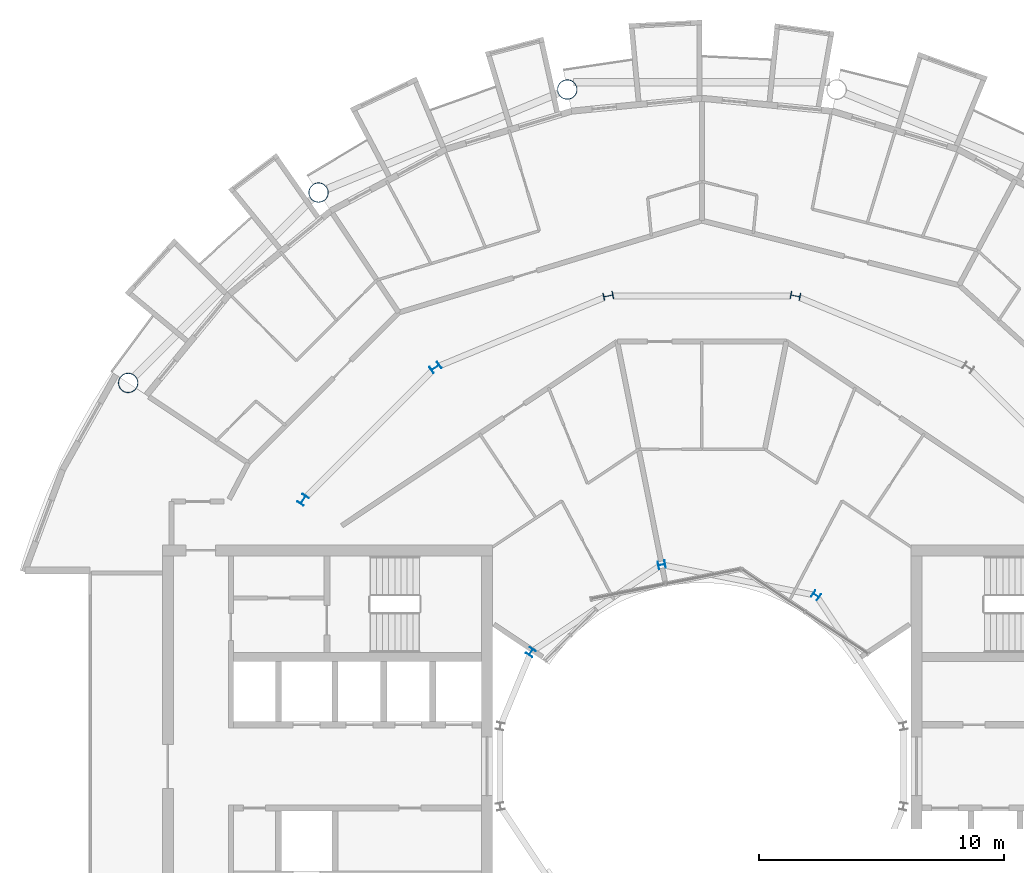
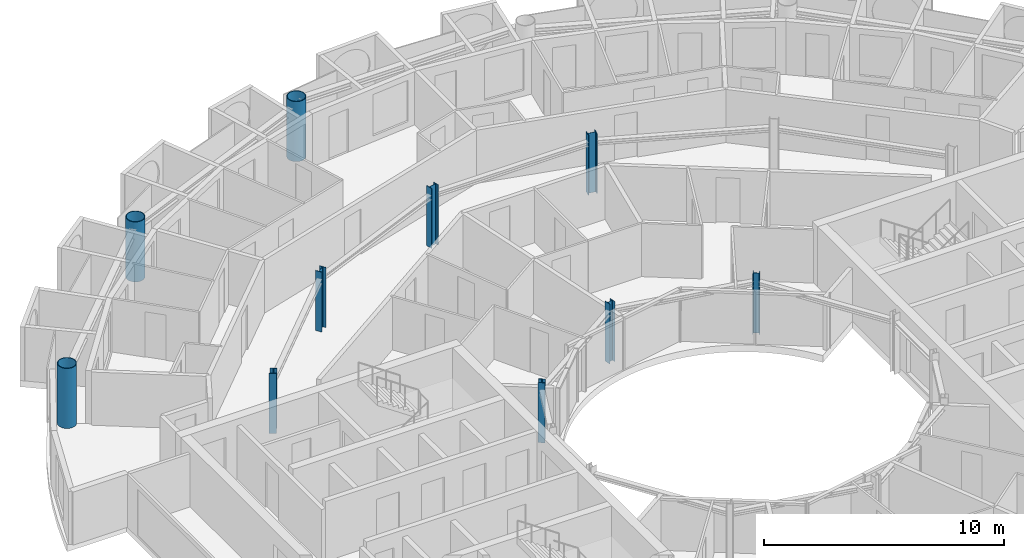
# One storey, part 4 of 27: 10 columns.
"""IFC4 building model written with IfcOpenShell, lengths in metres."""

from ifc_helpers import new_model, si_unit, direction, frame, origin, origin_2d, place, context, subcontext, project, spatial, hollow_circle, i_section, extrude, material, material_profile, profile_set, type_object, element, save


model = new_model("IFC4")

# Units and contexts
model_context = context("Model", 3, precision=1e-05, world=origin(), true_north=direction((0.0, 1.0)))
body_context = subcontext(model_context, "Body", "Model", "MODEL_VIEW")
ifc_project = project(units=[si_unit("LENGTHUNIT", "METRE"), si_unit("AREAUNIT", "SQUARE_METRE"), si_unit("VOLUMEUNIT", "CUBIC_METRE"), si_unit("PLANEANGLEUNIT", "RADIAN"), si_unit("MASSUNIT", "GRAM", prefix="KILO")], contexts=[model_context])

# Site, building, storey
site_placement = place(None, origin())
site = spatial("IfcSite", under=ifc_project, at=site_placement, CompositionType="ELEMENT")
building_placement = place(site_placement, origin())
building = spatial("IfcBuilding", under=site, at=building_placement, Name="Maasbend Ring Residences", CompositionType="ELEMENT")
storey_placement = place(building_placement, frame((0.0, 0.0, 199.35009765625)))
storey = spatial("IfcBuildingStorey", under=building, at=storey_placement, Name="L57", CompositionType="ELEMENT", Elevation=199.35009765625)

# Columns
ifc_material_1 = material(Name="Composite concrete-filled steel tube S460NH / C80/95", Category="concrete")
ifc_material_profile_1 = material_profile(ifc_material_1, hollow_circle(Radius=0.406494140625, WallThickness=0.030029296875, at=origin_2d()), Name="Composite tube column CHS 813x30")
ifc_profile_set_1 = profile_set([ifc_material_profile_1], Name="Composite concrete-filled steel tube S460NH / C80/95")
column_type_1 = type_object("IfcColumnType", Name="Composite tube column CHS 813x30", PredefinedType="COLUMN", material=ifc_profile_set_1)
for number, where, z_axis, x_axis, name in (
    (1, (-5.50146484375, 27.658203125, 0.0), (0.0, 0.0, 1.0), (1.0, 0.0, 0.0), "Outer column R5"),
    (2, (-15.6669921875, 23.447509765625, 0.0), (0.0, 0.0, 1.0), (1.0, 0.0, 0.0), "Outer column R6"),
    (3, (-23.447509765625, 15.6669921875, 0.0), (0.0, 0.0, 1.0), (1.0, 0.0, 0.0), "Outer column R7"),
):
    element("IfcColumn", number, at=place(storey_placement, frame(where, z_axis=z_axis, x_axis=x_axis)), inside=storey, type_object=column_type_1, Name=name, PredefinedType="COLUMN", context=body_context, shape_type="SweptSolid", body=[
        extrude(hollow_circle(Radius=0.406494140625, WallThickness=0.030029296875, at=origin_2d()), origin(), (0.0, 0.0, 1.0), 3.0498046875),
    ])
ifc_material_2 = material(Name="Steel S355J2", Category="steel")
ifc_material_profile_2 = material_profile(ifc_material_2, i_section(OverallWidth=0.300048828125, OverallDepth=0.2900390625, WebThickness=0.008544921875, FlangeThickness=0.013916015625, FilletRadius=0.027099609375, at=origin_2d()), Name="HEA 300")
ifc_profile_set_2 = profile_set([ifc_material_profile_2], Name="Steel S355J2")
column_type_2 = type_object("IfcColumnType", Name="Steel column HEA 300", PredefinedType="COLUMN", material=ifc_profile_set_2)
for number, where, z_axis, x_axis, name in (
    (4, (4.666748046875, 6.984375, 0.0), (0.0, 0.0, 1.0), (0.55557023302, 0.831469612303, 0.0), "Well ring column R3"),
    (5, (-1.638916015625, 8.238525390625, 0.0), (0.0, 0.0, 1.0), (-0.195090322016, 0.980785280403, 0.0), "Well ring column R5"),
    (6, (-6.984375, 4.666748046875, 0.0), (0.0, 0.0, 1.0), (-0.831469612303, 0.55557023302, 0.0), "Well ring column R7"),
):
    element("IfcColumn", number, at=place(storey_placement, frame(where, z_axis=z_axis, x_axis=x_axis)), inside=storey, type_object=column_type_2, Name=name, PredefinedType="COLUMN", context=body_context, shape_type="SweptSolid", body=[
        extrude(i_section(OverallWidth=0.300048828125, OverallDepth=0.2900390625, WebThickness=0.008544921875, FlangeThickness=0.013916015625, FilletRadius=0.027099609375, at=origin_2d()), origin(), (0.0, 0.0, 1.0), 3.0498046875),
    ])
ifc_material_3 = material(Name="Steel S355J2", Category="steel")
ifc_material_profile_3 = material_profile(ifc_material_3, i_section(OverallWidth=0.300048828125, OverallDepth=0.39990234375, WebThickness=0.013427734375, FlangeThickness=0.02392578125, FilletRadius=0.027099609375, at=origin_2d()), Name="HEB 400")
ifc_profile_set_3 = profile_set([ifc_material_profile_3], Name="Steel S355J2")
column_type_3 = type_object("IfcColumnType", Name="Steel column HEB 400", PredefinedType="COLUMN", material=ifc_profile_set_3)
for number, where, z_axis, x_axis, name in (
    (7, (3.82373046875, 19.223388671875, 0.0), (0.0, 0.0, 1.0), (0.195090322016, 0.980785280403, 0.0), "Corridor ring column R4"),
    (8, (-3.82373046875, 19.223388671875, 0.0), (0.0, 0.0, 1.0), (-0.195090322016, 0.980785280403, 0.0), "Corridor ring column R5"),
    (9, (-10.88916015625, 16.296875, 0.0), (0.0, 0.0, 1.0), (-0.55557023302, 0.831469612303, 0.0), "Corridor ring column R6"),
    (10, (-16.296875, 10.88916015625, 0.0), (0.0, 0.0, 1.0), (-0.831469612303, 0.55557023302, 0.0), "Corridor ring column R7"),
):
    element("IfcColumn", number, at=place(storey_placement, frame(where, z_axis=z_axis, x_axis=x_axis)), inside=storey, type_object=column_type_3, Name=name, PredefinedType="COLUMN", context=body_context, shape_type="SweptSolid", body=[
        extrude(i_section(OverallWidth=0.300048828125, OverallDepth=0.39990234375, WebThickness=0.013427734375, FlangeThickness=0.02392578125, FilletRadius=0.027099609375, at=origin_2d()), origin(), (0.0, 0.0, 1.0), 3.0498046875),
    ])

save(model, "model.ifc")
